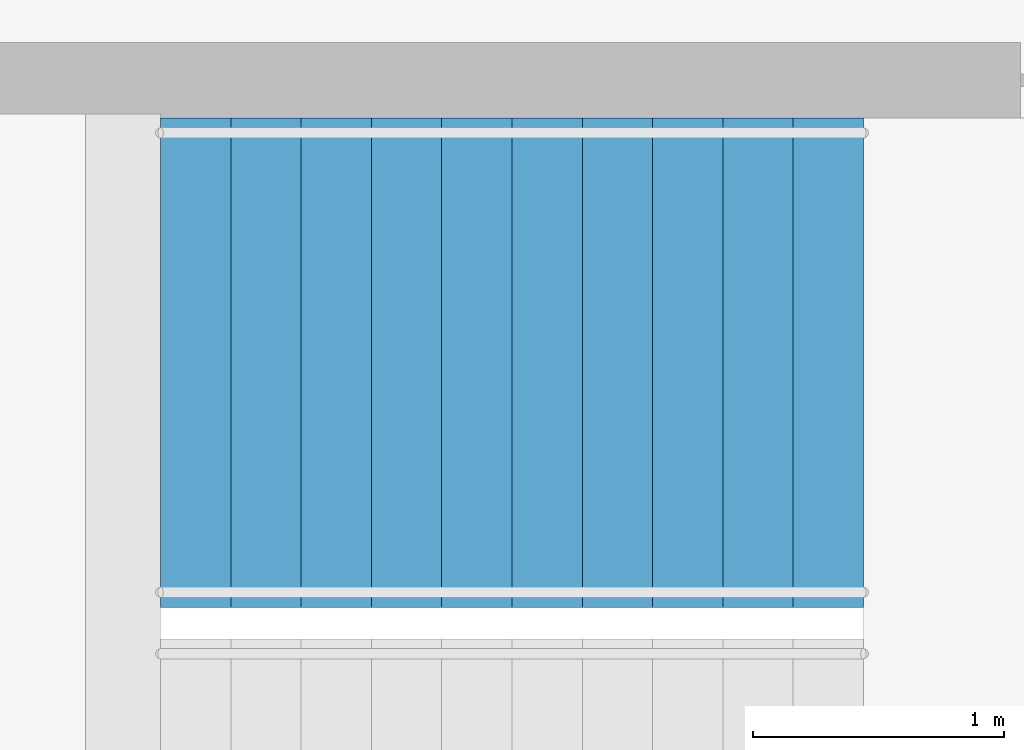
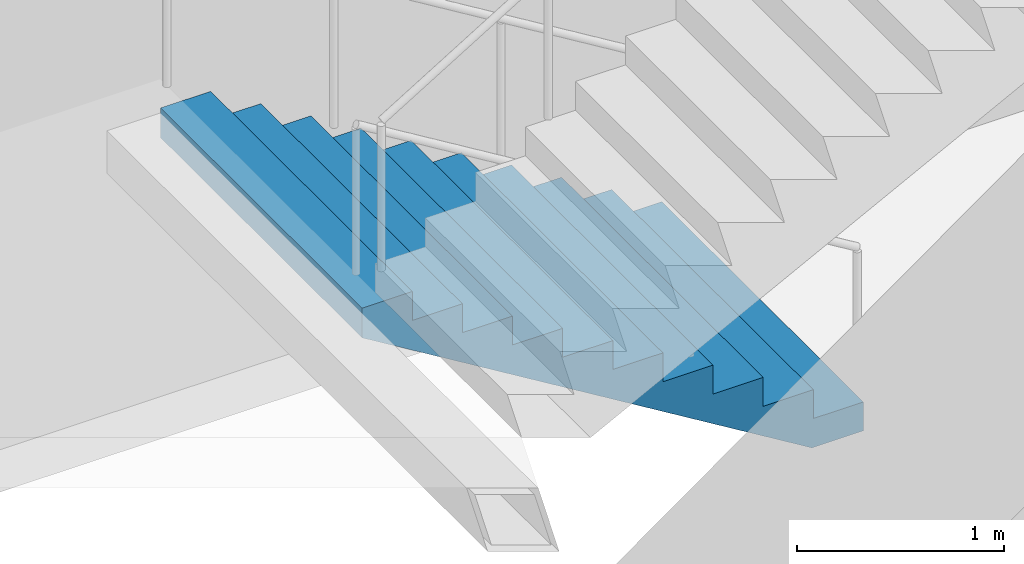
# One storey, part 21 of 22: 1 stair flight, 1 element without a shape of its own.
"""IFC4 building model written with IfcOpenShell, lengths in metres."""

from ifc_helpers import new_model, si_unit, direction, frame, origin, place, context, subcontext, project, spatial, triangles, material, type_object, element, aggregate, save


model = new_model("IFC4")

# Units and contexts
model_context = context("Model", 3, precision=1e-05, world=origin(), true_north=direction((0.0, 1.0)))
body_context = subcontext(model_context, "Body", "Model", "MODEL_VIEW")
ifc_project = project(units=[si_unit("LENGTHUNIT", "METRE"), si_unit("AREAUNIT", "SQUARE_METRE"), si_unit("VOLUMEUNIT", "CUBIC_METRE"), si_unit("PLANEANGLEUNIT", "RADIAN"), si_unit("MASSUNIT", "GRAM", prefix="KILO")], contexts=[model_context])

# Site, building, storey
site_placement = place(None, origin())
site = spatial("IfcSite", under=ifc_project, at=site_placement, CompositionType="ELEMENT")
building_placement = place(site_placement, origin())
building = spatial("IfcBuilding", under=site, at=building_placement, Name="Orbita Commons", CompositionType="ELEMENT")
storey_placement = place(building_placement, frame((0.0, 0.0, 182.35009765625)))
storey = spatial("IfcBuildingStorey", under=building, at=storey_placement, Name="L45", CompositionType="ELEMENT", Elevation=182.35009765625)

# Stair, stair flight
ifc_material_1 = material(Name="Precast concrete C40/50", Category="concrete")
stair_type = type_object("IfcStairType", Name="Exit stair S2 2 flights 11 risers 170", PredefinedType="HALF_TURN_STAIR", material=ifc_material_1)
stair_placement = place(storey_placement, origin())
stair = element("IfcStair", 1, at=stair_placement, inside=storey, type_object=stair_type, Name="Exit stair S2 L45", PredefinedType="HALF_TURN_STAIR")
ifc_material_2 = material(Name="Precast concrete C40/50", Category="concrete")
stair_flight_type = type_object("IfcStairFlightType", Name="Stair flight 11 risers 170 x 280", PredefinedType="STRAIGHT", material=ifc_material_2)
stair_flight_placement = place(storey_placement, frame((63.550048828125, 29.27490234375, 0.0), z_axis=(0.0, 0.0, 1.0), x_axis=(-1.0, 0.0, 0.0)))
stair_flight = element("IfcStairFlight", 2, at=stair_flight_placement, type_object=stair_flight_type, Name="S2 flight 1", NumberOfRisers=11, NumberOfTreads=10, PredefinedType="STRAIGHT", RiserHeight=0.170454545, TreadLength=0.28, context=body_context, shape_type="Tessellation", body=[
    triangles([(0.0, 0.974976, 0.0), (0.0, 0.974976, 0.021307), (0.0, 0.81248, 0.021307), (0.0, 0.81248, 0.0), (0.0, 0.649984, 0.021307), (0.0, 0.649984, 0.0), (0.0, 0.487488, 0.021307), (0.0, 0.487488, 0.0), (0.0, 0.324992, 0.021307), (0.0, 0.324992, 0.0), (0.0, 0.162496, 0.021307), (0.0, 0.162496, 0.0), (0.0, 0.0, 0.021307), (0.0, 0.0, 0.0), (0.0, -0.162496, 0.021307), (0.0, -0.162496, 0.0), (0.0, -0.324992, 0.021307), (0.0, -0.324992, 0.0), (0.0, -0.487488, 0.021307), (0.0, -0.487488, 0.0), (0.0, -0.649984, 0.021307), (0.0, -0.649984, 0.0), (0.0, -0.81248, 0.021307), (0.0, -0.81248, 0.0), (0.0, -0.974976, 0.021307), (0.0, -0.974976, 0.0), (0.0, 0.974976, 0.042614), (0.0, 0.81248, 0.042614), (0.0, 0.649984, 0.042614), (0.0, 0.487488, 0.042614), (0.0, 0.324992, 0.042614), (0.0, 0.162496, 0.042614), (0.0, 0.0, 0.042614), (0.0, -0.162496, 0.042614), (0.0, -0.324992, 0.042614), (0.0, -0.487488, 0.042614), (0.0, -0.649984, 0.042614), (0.0, -0.81248, 0.042614), (0.0, -0.974976, 0.042614), (0.0, 0.974976, 0.06392), (0.0, 0.81248, 0.06392), (0.0, 0.649984, 0.06392), (0.0, 0.487488, 0.06392), (0.0, 0.324992, 0.06392), (0.0, 0.162496, 0.06392), (0.0, 0.0, 0.06392), (0.0, -0.162496, 0.06392), (0.0, -0.324992, 0.06392), (0.0, -0.487488, 0.06392), (0.0, -0.649984, 0.06392), (0.0, -0.81248, 0.06392), (0.0, -0.974976, 0.06392), (0.0, 0.974976, 0.085227), (0.0, 0.81248, 0.085227), (0.0, 0.649984, 0.085227), (0.0, 0.487488, 0.085227), (0.0, 0.324992, 0.085227), (0.0, 0.162496, 0.085227), (0.0, 0.0, 0.085227), (0.0, -0.162496, 0.085227), (0.0, -0.324992, 0.085227), (0.0, -0.487488, 0.085227), (0.0, -0.649984, 0.085227), (0.0, -0.81248, 0.085227), (0.0, -0.974976, 0.085227), (0.0, 0.974976, 0.106534), (0.0, 0.81248, 0.106534), (0.0, 0.649984, 0.106534), (0.0, 0.487488, 0.106534), (0.0, 0.324992, 0.106534), (0.0, 0.162496, 0.106534), (0.0, 0.0, 0.106534), (0.0, -0.162496, 0.106534), (0.0, -0.324992, 0.106534), (0.0, -0.487488, 0.106534), (0.0, -0.649984, 0.106534), (0.0, -0.81248, 0.106534), (0.0, -0.974976, 0.106534), (0.0, 0.974976, 0.127841), (0.0, 0.81248, 0.127841), (0.0, 0.649984, 0.127841), (0.0, 0.487488, 0.127841), (0.0, 0.324992, 0.127841), (0.0, 0.162496, 0.127841), (0.0, 0.0, 0.127841), (0.0, -0.162496, 0.127841), (0.0, -0.324992, 0.127841), (0.0, -0.487488, 0.127841), (0.0, -0.649984, 0.127841), (0.0, -0.81248, 0.127841), (0.0, -0.974976, 0.127841), (0.0, 0.974976, 0.149148), (0.0, 0.81248, 0.149148), (0.0, 0.649984, 0.149148), (0.0, 0.487488, 0.149148), (0.0, 0.324992, 0.149148), (0.0, 0.162496, 0.149148), (0.0, 0.0, 0.149148), (0.0, -0.162496, 0.149148), (0.0, -0.324992, 0.149148), (0.0, -0.487488, 0.149148), (0.0, -0.649984, 0.149148), (0.0, -0.81248, 0.149148), (0.0, -0.974976, 0.149148), (0.0, 0.974976, 0.170455), (0.0, 0.81248, 0.170455), (0.0, 0.649984, 0.170455), (0.0, 0.487488, 0.170455), (0.0, 0.324992, 0.170455), (0.0, 0.162496, 0.170455), (0.0, 0.0, 0.170455), (0.0, -0.162496, 0.170455), (0.0, -0.324992, 0.170455), (0.0, -0.487488, 0.170455), (0.0, -0.649984, 0.170455), (0.0, -0.81248, 0.170455), (0.0, -0.974976, 0.170455), (0.28, 0.974976, 0.170455), (0.28, 0.81248, 0.170455), (0.28, 0.649984, 0.170455), (0.28, 0.487488, 0.170455), (0.28, 0.324992, 0.170455), (0.28, 0.162496, 0.170455), (0.28, 0.0, 0.170455), (0.28, -0.162496, 0.170455), (0.28, -0.324992, 0.170455), (0.28, -0.487488, 0.170455), (0.28, -0.649984, 0.170455), (0.28, -0.81248, 0.170455), (0.28, -0.974976, 0.170455), (0.28, 0.974976, 0.340909), (0.28, 0.81248, 0.340909), (0.28, 0.649984, 0.340909), (0.28, 0.487488, 0.340909), (0.28, 0.324992, 0.340909), (0.28, 0.162496, 0.340909), (0.28, 0.0, 0.340909), (0.28, -0.162496, 0.340909), (0.28, -0.324992, 0.340909), (0.28, -0.487488, 0.340909), (0.28, -0.649984, 0.340909), (0.28, -0.81248, 0.340909), (0.28, -0.974976, 0.340909), (0.56, 0.974976, 0.340909), (0.56, 0.81248, 0.340909), (0.56, 0.649984, 0.340909), (0.56, 0.487488, 0.340909), (0.56, 0.324992, 0.340909), (0.56, 0.162496, 0.340909), (0.56, 0.0, 0.340909), (0.56, -0.162496, 0.340909), (0.56, -0.324992, 0.340909), (0.56, -0.487488, 0.340909), (0.56, -0.649984, 0.340909), (0.56, -0.81248, 0.340909), (0.56, -0.974976, 0.340909), (0.56, 0.974976, 0.511364), (0.56, 0.81248, 0.511364), (0.56, 0.649984, 0.511364), (0.56, 0.487488, 0.511364), (0.56, 0.324992, 0.511364), (0.56, 0.162496, 0.511364), (0.56, 0.0, 0.511364), (0.56, -0.162496, 0.511364), (0.56, -0.324992, 0.511364), (0.56, -0.487488, 0.511364), (0.56, -0.649984, 0.511364), (0.56, -0.81248, 0.511364), (0.56, -0.974976, 0.511364), (0.84, 0.974976, 0.511364), (0.84, 0.81248, 0.511364), (0.84, 0.649984, 0.511364), (0.84, 0.487488, 0.511364), (0.84, 0.324992, 0.511364), (0.84, 0.162496, 0.511364), (0.84, 0.0, 0.511364), (0.84, -0.162496, 0.511364), (0.84, -0.324992, 0.511364), (0.84, -0.487488, 0.511364), (0.84, -0.649984, 0.511364), (0.84, -0.81248, 0.511364), (0.84, -0.974976, 0.511364), (0.84, 0.974976, 0.681818), (0.84, 0.81248, 0.681818), (0.84, 0.649984, 0.681818), (0.84, 0.487488, 0.681818), (0.84, 0.324992, 0.681818), (0.84, 0.162496, 0.681818), (0.84, 0.0, 0.681818), (0.84, -0.162496, 0.681818), (0.84, -0.324992, 0.681818), (0.84, -0.487488, 0.681818), (0.84, -0.649984, 0.681818), (0.84, -0.81248, 0.681818), (0.84, -0.974976, 0.681818), (1.12, 0.974976, 0.681818), (1.12, 0.81248, 0.681818), (1.12, 0.649984, 0.681818), (1.12, 0.487488, 0.681818), (1.12, 0.324992, 0.681818), (1.12, 0.162496, 0.681818), (1.12, 0.0, 0.681818), (1.12, -0.162496, 0.681818), (1.12, -0.324992, 0.681818), (1.12, -0.487488, 0.681818), (1.12, -0.649984, 0.681818), (1.12, -0.81248, 0.681818), (1.12, -0.974976, 0.681818), (1.12, 0.974976, 0.852273), (1.12, 0.81248, 0.852273), (1.12, 0.649984, 0.852273), (1.12, 0.487488, 0.852273), (1.12, 0.324992, 0.852273), (1.12, 0.162496, 0.852273), (1.12, 0.0, 0.852273), (1.12, -0.162496, 0.852273), (1.12, -0.324992, 0.852273), (1.12, -0.487488, 0.852273), (1.12, -0.649984, 0.852273), (1.12, -0.81248, 0.852273), (1.12, -0.974976, 0.852273), (1.4, 0.974976, 0.852273), (1.4, 0.81248, 0.852273), (1.4, 0.649984, 0.852273), (1.4, 0.487488, 0.852273), (1.4, 0.324992, 0.852273), (1.4, 0.162496, 0.852273), (1.4, 0.0, 0.852273), (1.4, -0.162496, 0.852273), (1.4, -0.324992, 0.852273), (1.4, -0.487488, 0.852273), (1.4, -0.649984, 0.852273), (1.4, -0.81248, 0.852273), (1.4, -0.974976, 0.852273), (1.4, 0.974976, 1.022727), (1.4, 0.81248, 1.022727), (1.4, 0.649984, 1.022727), (1.4, 0.487488, 1.022727), (1.4, 0.324992, 1.022727), (1.4, 0.162496, 1.022727), (1.4, 0.0, 1.022727), (1.4, -0.162496, 1.022727), (1.4, -0.324992, 1.022727), (1.4, -0.487488, 1.022727), (1.4, -0.649984, 1.022727), (1.4, -0.81248, 1.022727), (1.4, -0.974976, 1.022727), (1.68, 0.974976, 1.022727), (1.68, 0.81248, 1.022727), (1.68, 0.649984, 1.022727), (1.68, 0.487488, 1.022727), (1.68, 0.324992, 1.022727), (1.68, 0.162496, 1.022727), (1.68, 0.0, 1.022727), (1.68, -0.162496, 1.022727), (1.68, -0.324992, 1.022727), (1.68, -0.487488, 1.022727), (1.68, -0.649984, 1.022727), (1.68, -0.81248, 1.022727), (1.68, -0.974976, 1.022727), (1.68, 0.974976, 1.193182), (1.68, 0.81248, 1.193182), (1.68, 0.649984, 1.193182), (1.68, 0.487488, 1.193182), (1.68, 0.324992, 1.193182), (1.68, 0.162496, 1.193182), (1.68, 0.0, 1.193182), (1.68, -0.162496, 1.193182), (1.68, -0.324992, 1.193182), (1.68, -0.487488, 1.193182), (1.68, -0.649984, 1.193182), (1.68, -0.81248, 1.193182), (1.68, -0.974976, 1.193182), (1.96, 0.974976, 1.193182), (1.96, 0.81248, 1.193182), (1.96, 0.649984, 1.193182), (1.96, 0.487488, 1.193182), (1.96, 0.324992, 1.193182), (1.96, 0.162496, 1.193182), (1.96, 0.0, 1.193182), (1.96, -0.162496, 1.193182), (1.96, -0.324992, 1.193182), (1.96, -0.487488, 1.193182), (1.96, -0.649984, 1.193182), (1.96, -0.81248, 1.193182), (1.96, -0.974976, 1.193182), (1.96, 0.974976, 1.363636), (1.96, 0.81248, 1.363636), (1.96, 0.649984, 1.363636), (1.96, 0.487488, 1.363636), (1.96, 0.324992, 1.363636), (1.96, 0.162496, 1.363636), (1.96, 0.0, 1.363636), (1.96, -0.162496, 1.363636), (1.96, -0.324992, 1.363636), (1.96, -0.487488, 1.363636), (1.96, -0.649984, 1.363636), (1.96, -0.81248, 1.363636), (1.96, -0.974976, 1.363636), (2.24, 0.974976, 1.363636), (2.24, 0.81248, 1.363636), (2.24, 0.649984, 1.363636), (2.24, 0.487488, 1.363636), (2.24, 0.324992, 1.363636), (2.24, 0.162496, 1.363636), (2.24, 0.0, 1.363636), (2.24, -0.162496, 1.363636), (2.24, -0.324992, 1.363636), (2.24, -0.487488, 1.363636), (2.24, -0.649984, 1.363636), (2.24, -0.81248, 1.363636), (2.24, -0.974976, 1.363636), (2.24, 0.974976, 1.534091), (2.24, 0.81248, 1.534091), (2.24, 0.649984, 1.534091), (2.24, 0.487488, 1.534091), (2.24, 0.324992, 1.534091), (2.24, 0.162496, 1.534091), (2.24, 0.0, 1.534091), (2.24, -0.162496, 1.534091), (2.24, -0.324992, 1.534091), (2.24, -0.487488, 1.534091), (2.24, -0.649984, 1.534091), (2.24, -0.81248, 1.534091), (2.24, -0.974976, 1.534091), (2.52, 0.974976, 1.534091), (2.52, 0.81248, 1.534091), (2.52, 0.649984, 1.534091), (2.52, 0.487488, 1.534091), (2.52, 0.324992, 1.534091), (2.52, 0.162496, 1.534091), (2.52, 0.0, 1.534091), (2.52, -0.162496, 1.534091), (2.52, -0.324992, 1.534091), (2.52, -0.487488, 1.534091), (2.52, -0.649984, 1.534091), (2.52, -0.81248, 1.534091), (2.52, -0.974976, 1.534091), (2.52, 0.974976, 1.704545), (2.52, 0.81248, 1.704545), (2.52, 0.649984, 1.704545), (2.52, 0.487488, 1.704545), (2.52, 0.324992, 1.704545), (2.52, 0.162496, 1.704545), (2.52, 0.0, 1.704545), (2.52, -0.162496, 1.704545), (2.52, -0.324992, 1.704545), (2.52, -0.487488, 1.704545), (2.52, -0.649984, 1.704545), (2.52, -0.81248, 1.704545), (2.52, -0.974976, 1.704545), (2.8, 0.974976, 1.704545), (2.8, 0.81248, 1.704545), (2.8, 0.649984, 1.704545), (2.8, 0.487488, 1.704545), (2.8, 0.324992, 1.704545), (2.8, 0.162496, 1.704545), (2.8, 0.0, 1.704545), (2.8, -0.162496, 1.704545), (2.8, -0.324992, 1.704545), (2.8, -0.487488, 1.704545), (2.8, -0.649984, 1.704545), (2.8, -0.81248, 1.704545), (2.8, -0.974976, 1.704545), (2.8, 0.974976, 1.682609), (2.8, 0.81248, 1.682609), (2.8, 0.649984, 1.682609), (2.8, 0.487488, 1.682609), (2.8, 0.324992, 1.682609), (2.8, 0.162496, 1.682609), (2.8, 0.0, 1.682609), (2.8, -0.162496, 1.682609), (2.8, -0.324992, 1.682609), (2.8, -0.487488, 1.682609), (2.8, -0.649984, 1.682609), (2.8, -0.81248, 1.682609), (2.8, -0.974976, 1.682609), (2.8, 0.974976, 1.660672), (2.8, 0.81248, 1.660672), (2.8, 0.649984, 1.660672), (2.8, 0.487488, 1.660672), (2.8, 0.324992, 1.660672), (2.8, 0.162496, 1.660672), (2.8, 0.0, 1.660672), (2.8, -0.162496, 1.660672), (2.8, -0.324992, 1.660672), (2.8, -0.487488, 1.660672), (2.8, -0.649984, 1.660672), (2.8, -0.81248, 1.660672), (2.8, -0.974976, 1.660672), (2.8, 0.974976, 1.638735), (2.8, 0.81248, 1.638735), (2.8, 0.649984, 1.638735), (2.8, 0.487488, 1.638735), (2.8, 0.324992, 1.638735), (2.8, 0.162496, 1.638735), (2.8, 0.0, 1.638735), (2.8, -0.162496, 1.638735), (2.8, -0.324992, 1.638735), (2.8, -0.487488, 1.638735), (2.8, -0.649984, 1.638735), (2.8, -0.81248, 1.638735), (2.8, -0.974976, 1.638735), (2.8, 0.974976, 1.616798), (2.8, 0.81248, 1.616798), (2.8, 0.649984, 1.616798), (2.8, 0.487488, 1.616798), (2.8, 0.324992, 1.616798), (2.8, 0.162496, 1.616798), (2.8, 0.0, 1.616798), (2.8, -0.162496, 1.616798), (2.8, -0.324992, 1.616798), (2.8, -0.487488, 1.616798), (2.8, -0.649984, 1.616798), (2.8, -0.81248, 1.616798), (2.8, -0.974976, 1.616798), (2.8, 0.974976, 1.594861), (2.8, 0.81248, 1.594861), (2.8, 0.649984, 1.594861), (2.8, 0.487488, 1.594861), (2.8, 0.324992, 1.594861), (2.8, 0.162496, 1.594861), (2.8, 0.0, 1.594861), (2.8, -0.162496, 1.594861), (2.8, -0.324992, 1.594861), (2.8, -0.487488, 1.594861), (2.8, -0.649984, 1.594861), (2.8, -0.81248, 1.594861), (2.8, -0.974976, 1.594861), (2.8, 0.974976, 1.572925), (2.8, 0.81248, 1.572925), (2.8, 0.649984, 1.572925), (2.8, 0.487488, 1.572925), (2.8, 0.324992, 1.572925), (2.8, 0.162496, 1.572925), (2.8, 0.0, 1.572925), (2.8, -0.162496, 1.572925), (2.8, -0.324992, 1.572925), (2.8, -0.487488, 1.572925), (2.8, -0.649984, 1.572925), (2.8, -0.81248, 1.572925), (2.8, -0.974976, 1.572925), (2.8, 0.974976, 1.550988), (2.8, 0.81248, 1.550988), (2.8, 0.649984, 1.550988), (2.8, 0.487488, 1.550988), (2.8, 0.324992, 1.550988), (2.8, 0.162496, 1.550988), (2.8, 0.0, 1.550988), (2.8, -0.162496, 1.550988), (2.8, -0.324992, 1.550988), (2.8, -0.487488, 1.550988), (2.8, -0.649984, 1.550988), (2.8, -0.81248, 1.550988), (2.8, -0.974976, 1.550988), (2.8, 0.974976, 1.529051), (2.8, 0.81248, 1.529051), (2.8, 0.649984, 1.529051), (2.8, 0.487488, 1.529051), (2.8, 0.324992, 1.529051), (2.8, 0.162496, 1.529051), (2.8, 0.0, 1.529051), (2.8, -0.162496, 1.529051), (2.8, -0.324992, 1.529051), (2.8, -0.487488, 1.529051), (2.8, -0.649984, 1.529051), (2.8, -0.81248, 1.529051), (2.8, -0.974976, 1.529051), (0.288279, 0.974976, 0.0), (0.288279, 0.81248, 0.0), (0.288279, 0.649984, 0.0), (0.288279, 0.487488, 0.0), (0.288279, 0.324992, 0.0), (0.288279, 0.162496, 0.0), (0.288279, 0.0, 0.0), (0.288279, -0.162496, 0.0), (0.288279, -0.324992, 0.0), (0.288279, -0.487488, 0.0), (0.288279, -0.649984, 0.0), (0.288279, -0.81248, 0.0), (0.288279, -0.974976, 0.0)], [[3, 2, 1], [4, 3, 1], [5, 3, 4], [6, 5, 4], [7, 5, 6], [8, 7, 6], [9, 7, 8], [10, 9, 8], [11, 9, 10], [12, 11, 10], [13, 11, 12], [14, 13, 12], [15, 13, 14], [16, 15, 14], [17, 15, 16], [18, 17, 16], [19, 17, 18], [20, 19, 18], [21, 19, 20], [22, 21, 20], [23, 21, 22], [24, 23, 22], [25, 23, 24], [26, 25, 24], [28, 27, 2], [3, 28, 2], [29, 28, 3], [5, 29, 3], [30, 29, 5], [7, 30, 5], [31, 30, 7], [9, 31, 7], [32, 31, 9], [11, 32, 9], [33, 32, 11], [13, 33, 11], [34, 33, 13], [15, 34, 13], [35, 34, 15], [17, 35, 15], [36, 35, 17], [19, 36, 17], [37, 36, 19], [21, 37, 19], [38, 37, 21], [23, 38, 21], [39, 38, 23], [25, 39, 23], [41, 40, 27], [28, 41, 27], [42, 41, 28], [29, 42, 28], [43, 42, 29], [30, 43, 29], [44, 43, 30], [31, 44, 30], [45, 44, 31], [32, 45, 31], [46, 45, 32], [33, 46, 32], [47, 46, 33], [34, 47, 33], [48, 47, 34], [35, 48, 34], [49, 48, 35], [36, 49, 35], [50, 49, 36], [37, 50, 36], [51, 50, 37], [38, 51, 37], [52, 51, 38], [39, 52, 38], [54, 53, 40], [41, 54, 40], [55, 54, 41], [42, 55, 41], [56, 55, 42], [43, 56, 42], [57, 56, 43], [44, 57, 43], [58, 57, 44], [45, 58, 44], [59, 58, 45], [46, 59, 45], [60, 59, 46], [47, 60, 46], [61, 60, 47], [48, 61, 47], [62, 61, 48], [49, 62, 48], [63, 62, 49], [50, 63, 49], [64, 63, 50], [51, 64, 50], [65, 64, 51], [52, 65, 51], [67, 66, 53], [54, 67, 53], [68, 67, 54], [55, 68, 54], [69, 68, 55], [56, 69, 55], [70, 69, 56], [57, 70, 56], [71, 70, 57], [58, 71, 57], [72, 71, 58], [59, 72, 58], [73, 72, 59], [60, 73, 59], [74, 73, 60], [61, 74, 60], [75, 74, 61], [62, 75, 61], [76, 75, 62], [63, 76, 62], [77, 76, 63], [64, 77, 63], [78, 77, 64], [65, 78, 64], [80, 79, 66], [67, 80, 66], [81, 80, 67], [68, 81, 67], [82, 81, 68], [69, 82, 68], [83, 82, 69], [70, 83, 69], [84, 83, 70], [71, 84, 70], [85, 84, 71], [72, 85, 71], [86, 85, 72], [73, 86, 72], [87, 86, 73], [74, 87, 73], [88, 87, 74], [75, 88, 74], [89, 88, 75], [76, 89, 75], [90, 89, 76], [77, 90, 76], [91, 90, 77], [78, 91, 77], [93, 92, 79], [80, 93, 79], [94, 93, 80], [81, 94, 80], [95, 94, 81], [82, 95, 81], [96, 95, 82], [83, 96, 82], [97, 96, 83], [84, 97, 83], [98, 97, 84], [85, 98, 84], [99, 98, 85], [86, 99, 85], [100, 99, 86], [87, 100, 86], [101, 100, 87], [88, 101, 87], [102, 101, 88], [89, 102, 88], [103, 102, 89], [90, 103, 89], [104, 103, 90], [91, 104, 90], [106, 105, 92], [93, 106, 92], [107, 106, 93], [94, 107, 93], [108, 107, 94], [95, 108, 94], [109, 108, 95], [96, 109, 95], [110, 109, 96], [97, 110, 96], [111, 110, 97], [98, 111, 97], [112, 111, 98], [99, 112, 98], [113, 112, 99], [100, 113, 99], [114, 113, 100], [101, 114, 100], [115, 114, 101], [102, 115, 101], [116, 115, 102], [103, 116, 102], [117, 116, 103], [104, 117, 103], [119, 118, 105], [106, 119, 105], [120, 119, 106], [107, 120, 106], [121, 120, 107], [108, 121, 107], [122, 121, 108], [109, 122, 108], [123, 122, 109], [110, 123, 109], [124, 123, 110], [111, 124, 110], [125, 124, 111], [112, 125, 111], [126, 125, 112], [113, 126, 112], [127, 126, 113], [114, 127, 113], [128, 127, 114], [115, 128, 114], [129, 128, 115], [116, 129, 115], [130, 129, 116], [117, 130, 116], [132, 131, 118], [119, 132, 118], [133, 132, 119], [120, 133, 119], [134, 133, 120], [121, 134, 120], [135, 134, 121], [122, 135, 121], [136, 135, 122], [123, 136, 122], [137, 136, 123], [124, 137, 123], [138, 137, 124], [125, 138, 124], [139, 138, 125], [126, 139, 125], [140, 139, 126], [127, 140, 126], [141, 140, 127], [128, 141, 127], [142, 141, 128], [129, 142, 128], [143, 142, 129], [130, 143, 129], [145, 144, 131], [132, 145, 131], [146, 145, 132], [133, 146, 132], [147, 146, 133], [134, 147, 133], [148, 147, 134], [135, 148, 134], [149, 148, 135], [136, 149, 135], [150, 149, 136], [137, 150, 136], [151, 150, 137], [138, 151, 137], [152, 151, 138], [139, 152, 138], [153, 152, 139], [140, 153, 139], [154, 153, 140], [141, 154, 140], [155, 154, 141], [142, 155, 141], [156, 155, 142], [143, 156, 142], [158, 157, 144], [145, 158, 144], [159, 158, 145], [146, 159, 145], [160, 159, 146], [147, 160, 146], [161, 160, 147], [148, 161, 147], [162, 161, 148], [149, 162, 148], [163, 162, 149], [150, 163, 149], [164, 163, 150], [151, 164, 150], [165, 164, 151], [152, 165, 151], [166, 165, 152], [153, 166, 152], [167, 166, 153], [154, 167, 153], [168, 167, 154], [155, 168, 154], [169, 168, 155], [156, 169, 155], [171, 170, 157], [158, 171, 157], [172, 171, 158], [159, 172, 158], [173, 172, 159], [160, 173, 159], [174, 173, 160], [161, 174, 160], [175, 174, 161], [162, 175, 161], [176, 175, 162], [163, 176, 162], [177, 176, 163], [164, 177, 163], [178, 177, 164], [165, 178, 164], [179, 178, 165], [166, 179, 165], [180, 179, 166], [167, 180, 166], [181, 180, 167], [168, 181, 167], [182, 181, 168], [169, 182, 168], [184, 183, 170], [171, 184, 170], [185, 184, 171], [172, 185, 171], [186, 185, 172], [173, 186, 172], [187, 186, 173], [174, 187, 173], [188, 187, 174], [175, 188, 174], [189, 188, 175], [176, 189, 175], [190, 189, 176], [177, 190, 176], [191, 190, 177], [178, 191, 177], [192, 191, 178], [179, 192, 178], [193, 192, 179], [180, 193, 179], [194, 193, 180], [181, 194, 180], [195, 194, 181], [182, 195, 181], [197, 196, 183], [184, 197, 183], [198, 197, 184], [185, 198, 184], [199, 198, 185], [186, 199, 185], [200, 199, 186], [187, 200, 186], [201, 200, 187], [188, 201, 187], [202, 201, 188], [189, 202, 188], [203, 202, 189], [190, 203, 189], [204, 203, 190], [191, 204, 190], [205, 204, 191], [192, 205, 191], [206, 205, 192], [193, 206, 192], [207, 206, 193], [194, 207, 193], [208, 207, 194], [195, 208, 194], [210, 209, 196], [197, 210, 196], [211, 210, 197], [198, 211, 197], [212, 211, 198], [199, 212, 198], [213, 212, 199], [200, 213, 199], [214, 213, 200], [201, 214, 200], [215, 214, 201], [202, 215, 201], [216, 215, 202], [203, 216, 202], [217, 216, 203], [204, 217, 203], [218, 217, 204], [205, 218, 204], [219, 218, 205], [206, 219, 205], [220, 219, 206], [207, 220, 206], [221, 220, 207], [208, 221, 207], [223, 222, 209], [210, 223, 209], [224, 223, 210], [211, 224, 210], [225, 224, 211], [212, 225, 211], [226, 225, 212], [213, 226, 212], [227, 226, 213], [214, 227, 213], [228, 227, 214], [215, 228, 214], [229, 228, 215], [216, 229, 215], [230, 229, 216], [217, 230, 216], [231, 230, 217], [218, 231, 217], [232, 231, 218], [219, 232, 218], [233, 232, 219], [220, 233, 219], [234, 233, 220], [221, 234, 220], [236, 235, 222], [223, 236, 222], [237, 236, 223], [224, 237, 223], [238, 237, 224], [225, 238, 224], [239, 238, 225], [226, 239, 225], [240, 239, 226], [227, 240, 226], [241, 240, 227], [228, 241, 227], [242, 241, 228], [229, 242, 228], [243, 242, 229], [230, 243, 229], [244, 243, 230], [231, 244, 230], [245, 244, 231], [232, 245, 231], [246, 245, 232], [233, 246, 232], [247, 246, 233], [234, 247, 233], [249, 248, 235], [236, 249, 235], [250, 249, 236], [237, 250, 236], [251, 250, 237], [238, 251, 237], [252, 251, 238], [239, 252, 238], [253, 252, 239], [240, 253, 239], [254, 253, 240], [241, 254, 240], [255, 254, 241], [242, 255, 241], [256, 255, 242], [243, 256, 242], [257, 256, 243], [244, 257, 243], [258, 257, 244], [245, 258, 244], [259, 258, 245], [246, 259, 245], [260, 259, 246], [247, 260, 246], [262, 261, 248], [249, 262, 248], [263, 262, 249], [250, 263, 249], [264, 263, 250], [251, 264, 250], [265, 264, 251], [252, 265, 251], [266, 265, 252], [253, 266, 252], [267, 266, 253], [254, 267, 253], [268, 267, 254], [255, 268, 254], [269, 268, 255], [256, 269, 255], [270, 269, 256], [257, 270, 256], [271, 270, 257], [258, 271, 257], [272, 271, 258], [259, 272, 258], [273, 272, 259], [260, 273, 259], [275, 274, 261], [262, 275, 261], [276, 275, 262], [263, 276, 262], [277, 276, 263], [264, 277, 263], [278, 277, 264], [265, 278, 264], [279, 278, 265], [266, 279, 265], [280, 279, 266], [267, 280, 266], [281, 280, 267], [268, 281, 267], [282, 281, 268], [269, 282, 268], [283, 282, 269], [270, 283, 269], [284, 283, 270], [271, 284, 270], [285, 284, 271], [272, 285, 271], [286, 285, 272], [273, 286, 272], [288, 287, 274], [275, 288, 274], [289, 288, 275], [276, 289, 275], [290, 289, 276], [277, 290, 276], [291, 290, 277], [278, 291, 277], [292, 291, 278], [279, 292, 278], [293, 292, 279], [280, 293, 279], [294, 293, 280], [281, 294, 280], [295, 294, 281], [282, 295, 281], [296, 295, 282], [283, 296, 282], [297, 296, 283], [284, 297, 283], [298, 297, 284], [285, 298, 284], [299, 298, 285], [286, 299, 285], [301, 300, 287], [288, 301, 287], [302, 301, 288], [289, 302, 288], [303, 302, 289], [290, 303, 289], [304, 303, 290], [291, 304, 290], [305, 304, 291], [292, 305, 291], [306, 305, 292], [293, 306, 292], [307, 306, 293], [294, 307, 293], [308, 307, 294], [295, 308, 294], [309, 308, 295], [296, 309, 295], [310, 309, 296], [297, 310, 296], [311, 310, 297], [298, 311, 297], [312, 311, 298], [299, 312, 298], [314, 313, 300], [301, 314, 300], [315, 314, 301], [302, 315, 301], [316, 315, 302], [303, 316, 302], [317, 316, 303], [304, 317, 303], [318, 317, 304], [305, 318, 304], [319, 318, 305], [306, 319, 305], [320, 319, 306], [307, 320, 306], [321, 320, 307], [308, 321, 307], [322, 321, 308], [309, 322, 308], [323, 322, 309], [310, 323, 309], [324, 323, 310], [311, 324, 310], [325, 324, 311], [312, 325, 311], [327, 326, 313], [314, 327, 313], [328, 327, 314], [315, 328, 314], [329, 328, 315], [316, 329, 315], [330, 329, 316], [317, 330, 316], [331, 330, 317], [318, 331, 317], [332, 331, 318], [319, 332, 318], [333, 332, 319], [320, 333, 319], [334, 333, 320], [321, 334, 320], [335, 334, 321], [322, 335, 321], [336, 335, 322], [323, 336, 322], [337, 336, 323], [324, 337, 323], [338, 337, 324], [325, 338, 324], [340, 339, 326], [327, 340, 326], [341, 340, 327], [328, 341, 327], [342, 341, 328], [329, 342, 328], [343, 342, 329], [330, 343, 329], [344, 343, 330], [331, 344, 330], [345, 344, 331], [332, 345, 331], [346, 345, 332], [333, 346, 332], [347, 346, 333], [334, 347, 333], [348, 347, 334], [335, 348, 334], [349, 348, 335], [336, 349, 335], [350, 349, 336], [337, 350, 336], [351, 350, 337], [338, 351, 337], [353, 352, 339], [340, 353, 339], [354, 353, 340], [341, 354, 340], [355, 354, 341], [342, 355, 341], [356, 355, 342], [343, 356, 342], [357, 356, 343], [344, 357, 343], [358, 357, 344], [345, 358, 344], [359, 358, 345], [346, 359, 345], [360, 359, 346], [347, 360, 346], [361, 360, 347], [348, 361, 347], [362, 361, 348], [349, 362, 348], [363, 362, 349], [350, 363, 349], [364, 363, 350], [351, 364, 350], [366, 365, 352], [353, 366, 352], [367, 366, 353], [354, 367, 353], [368, 367, 354], [355, 368, 354], [369, 368, 355], [356, 369, 355], [370, 369, 356], [357, 370, 356], [371, 370, 357], [358, 371, 357], [372, 371, 358], [359, 372, 358], [373, 372, 359], [360, 373, 359], [374, 373, 360], [361, 374, 360], [375, 374, 361], [362, 375, 361], [376, 375, 362], [363, 376, 362], [377, 376, 363], [364, 377, 363], [379, 378, 365], [366, 379, 365], [380, 379, 366], [367, 380, 366], [381, 380, 367], [368, 381, 367], [382, 381, 368], [369, 382, 368], [383, 382, 369], [370, 383, 369], [384, 383, 370], [371, 384, 370], [385, 384, 371], [372, 385, 371], [386, 385, 372], [373, 386, 372], [387, 386, 373], [374, 387, 373], [388, 387, 374], [375, 388, 374], [389, 388, 375], [376, 389, 375], [390, 389, 376], [377, 390, 376], [392, 391, 378], [379, 392, 378], [393, 392, 379], [380, 393, 379], [394, 393, 380], [381, 394, 380], [395, 394, 381], [382, 395, 381], [396, 395, 382], [383, 396, 382], [397, 396, 383], [384, 397, 383], [398, 397, 384], [385, 398, 384], [399, 398, 385], [386, 399, 385], [400, 399, 386], [387, 400, 386], [401, 400, 387], [388, 401, 387], [402, 401, 388], [389, 402, 388], [403, 402, 389], [390, 403, 389], [405, 404, 391], [392, 405, 391], [406, 405, 392], [393, 406, 392], [407, 406, 393], [394, 407, 393], [408, 407, 394], [395, 408, 394], [409, 408, 395], [396, 409, 395], [410, 409, 396], [397, 410, 396], [411, 410, 397], [398, 411, 397], [412, 411, 398], [399, 412, 398], [413, 412, 399], [400, 413, 399], [414, 413, 400], [401, 414, 400], [415, 414, 401], [402, 415, 401], [416, 415, 402], [403, 416, 402], [418, 417, 404], [405, 418, 404], [419, 418, 405], [406, 419, 405], [420, 419, 406], [407, 420, 406], [421, 420, 407], [408, 421, 407], [422, 421, 408], [409, 422, 408], [423, 422, 409], [410, 423, 409], [424, 423, 410], [411, 424, 410], [425, 424, 411], [412, 425, 411], [426, 425, 412], [413, 426, 412], [427, 426, 413], [414, 427, 413], [428, 427, 414], [415, 428, 414], [429, 428, 415], [416, 429, 415], [431, 430, 417], [418, 431, 417], [432, 431, 418], [419, 432, 418], [433, 432, 419], [420, 433, 419], [434, 433, 420], [421, 434, 420], [435, 434, 421], [422, 435, 421], [436, 435, 422], [423, 436, 422], [437, 436, 423], [424, 437, 423], [438, 437, 424], [425, 438, 424], [439, 438, 425], [426, 439, 425], [440, 439, 426], [427, 440, 426], [441, 440, 427], [428, 441, 427], [442, 441, 428], [429, 442, 428], [444, 443, 430], [431, 444, 430], [445, 444, 431], [432, 445, 431], [446, 445, 432], [433, 446, 432], [447, 446, 433], [434, 447, 433], [448, 447, 434], [435, 448, 434], [449, 448, 435], [436, 449, 435], [450, 449, 436], [437, 450, 436], [451, 450, 437], [438, 451, 437], [452, 451, 438], [439, 452, 438], [453, 452, 439], [440, 453, 439], [454, 453, 440], [441, 454, 440], [455, 454, 441], [442, 455, 441], [457, 456, 443], [444, 457, 443], [458, 457, 444], [445, 458, 444], [459, 458, 445], [446, 459, 445], [460, 459, 446], [447, 460, 446], [461, 460, 447], [448, 461, 447], [462, 461, 448], [449, 462, 448], [463, 462, 449], [450, 463, 449], [464, 463, 450], [451, 464, 450], [465, 464, 451], [452, 465, 451], [466, 465, 452], [453, 466, 452], [467, 466, 453], [454, 467, 453], [468, 467, 454], [455, 468, 454], [470, 469, 456], [457, 470, 456], [471, 470, 457], [458, 471, 457], [472, 471, 458], [459, 472, 458], [473, 472, 459], [460, 473, 459], [474, 473, 460], [461, 474, 460], [475, 474, 461], [462, 475, 461], [476, 475, 462], [463, 476, 462], [477, 476, 463], [464, 477, 463], [478, 477, 464], [465, 478, 464], [479, 478, 465], [466, 479, 465], [480, 479, 466], [467, 480, 466], [481, 480, 467], [468, 481, 467], [4, 1, 469], [470, 4, 469], [6, 4, 470], [471, 6, 470], [8, 6, 471], [472, 8, 471], [10, 8, 472], [473, 10, 472], [12, 10, 473], [474, 12, 473], [14, 12, 474], [475, 14, 474], [16, 14, 475], [476, 16, 475], [18, 16, 476], [477, 18, 476], [20, 18, 477], [478, 20, 477], [22, 20, 478], [479, 22, 478], [24, 22, 479], [480, 24, 479], [26, 24, 480], [481, 26, 480], [456, 469, 1], [26, 481, 468], [443, 456, 1], [26, 468, 455], [430, 443, 1], [26, 455, 442], [417, 430, 1], [26, 442, 429], [404, 417, 1], [26, 429, 416], [391, 404, 1], [26, 416, 403], [378, 391, 1], [26, 403, 390], [365, 378, 1], [26, 390, 377], [339, 352, 365], [377, 364, 351], [326, 339, 365], [377, 351, 338], [300, 313, 326], [338, 325, 312], [300, 326, 365], [377, 338, 312], [274, 287, 300], [312, 299, 286], [274, 300, 365], [377, 312, 286], [248, 261, 274], [286, 273, 260], [248, 274, 365], [377, 286, 260], [222, 235, 248], [260, 247, 234], [222, 248, 365], [377, 260, 234], [196, 209, 222], [234, 221, 208], [196, 222, 365], [377, 234, 208], [170, 183, 196], [208, 195, 182], [170, 196, 365], [377, 208, 182], [144, 157, 170], [182, 169, 156], [144, 170, 365], [377, 182, 156], [118, 131, 144], [156, 143, 130], [118, 144, 365], [377, 156, 130], [118, 365, 1], [26, 377, 130], [92, 105, 118], [130, 117, 104], [79, 92, 118], [130, 104, 91], [66, 79, 118], [130, 91, 78], [53, 66, 118], [130, 78, 65], [40, 53, 118], [130, 65, 52], [27, 40, 118], [130, 52, 39], [2, 27, 118], [130, 39, 25], [1, 2, 118], [130, 25, 26]], closed=True),
])
aggregate(stair, [stair_flight])

save(model, "model.ifc")
